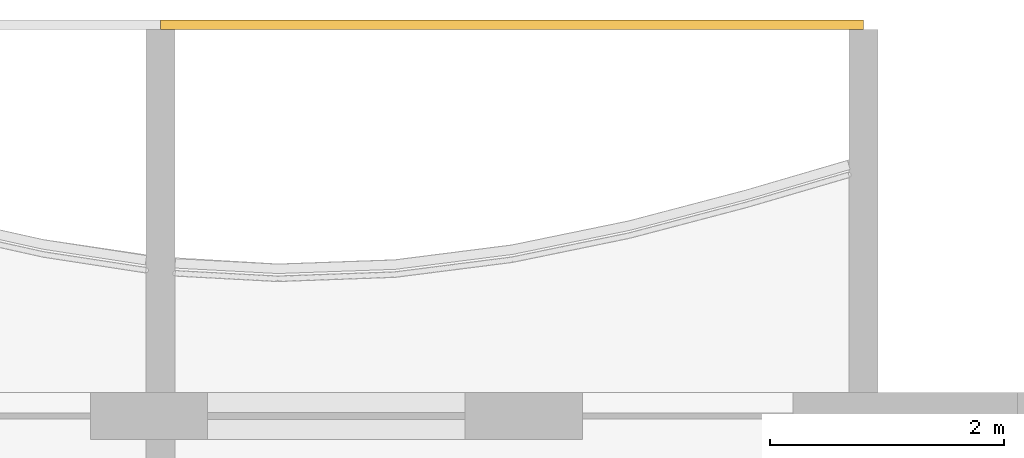
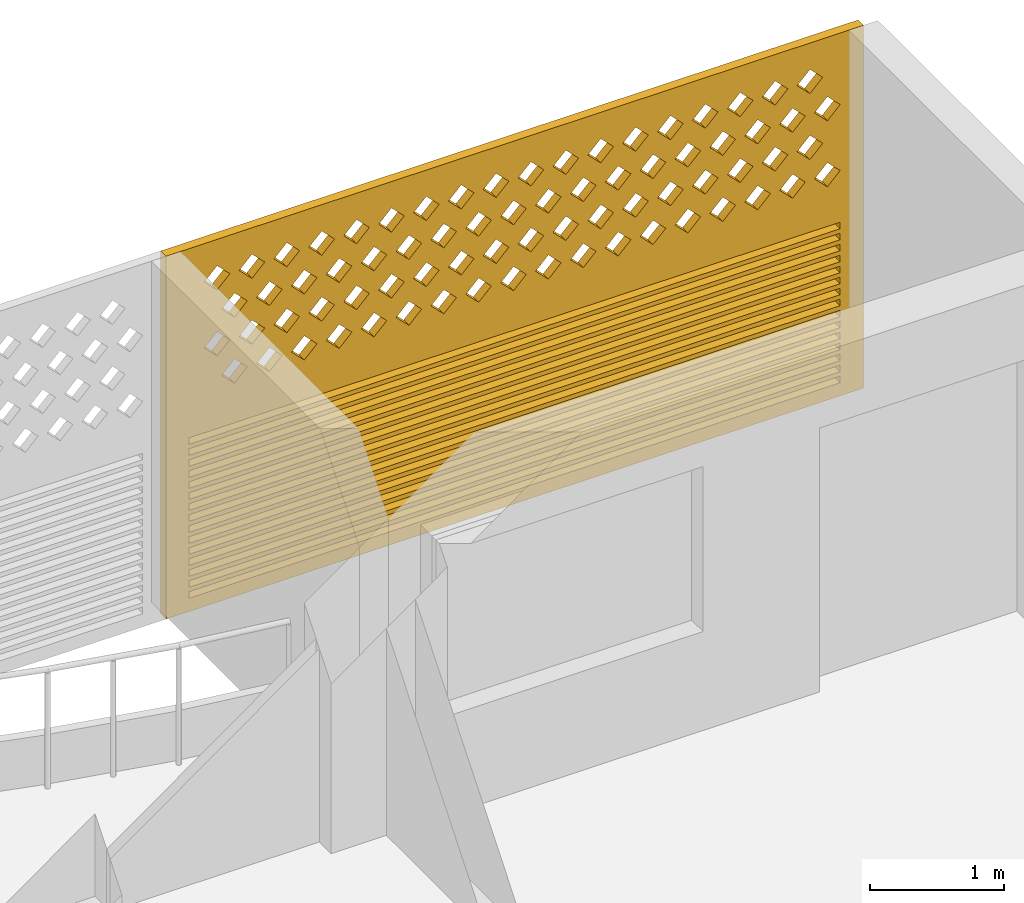
# One storey, part 26 of 26: 1 covering.
"""IFC4 building model written with IfcOpenShell, lengths in metres."""

from ifc_helpers import new_model, si_unit, direction, frame, origin, place, context, subcontext, project, spatial, polyline, outline, extrude, source, transform, mapped, material, material_profile, profile_set, type_object, element, save


model = new_model("IFC4")

# Units and contexts
model_context = context("Model", 3, precision=1e-05, world=origin(), true_north=direction((0.0, 1.0)))
body_context = subcontext(model_context, "Body", "Model", "MODEL_VIEW")
ifc_project = project(units=[si_unit("LENGTHUNIT", "METRE"), si_unit("AREAUNIT", "SQUARE_METRE"), si_unit("VOLUMEUNIT", "CUBIC_METRE"), si_unit("PLANEANGLEUNIT", "RADIAN"), si_unit("MASSUNIT", "GRAM", prefix="KILO")], contexts=[model_context])

# Site, building, storey
site_placement = place(None, origin())
site = spatial("IfcSite", under=ifc_project, at=site_placement, CompositionType="ELEMENT")
building_placement = place(site_placement, origin())
building = spatial("IfcBuilding", under=site, at=building_placement, Name="Poui Terraces", CompositionType="ELEMENT")
storey_placement = place(building_placement, frame((0.0, 0.0, 221.39990234375)))
storey = spatial("IfcBuildingStorey", under=building, at=storey_placement, Name="L61", CompositionType="ELEMENT", Elevation=221.39990234375)

# Covering
ifc_material = material(Name="Terracotta screen", Category="masonry")
ifc_material_profile = material_profile(ifc_material, outline(polyline([(-3.0, -1.64990234375), (3.0, -1.64990234375), (3.0, 1.64990234375), (-3.0, 1.64990234375), (-3.0, -1.64990234375)]), holes=[polyline([(-2.800048828125, 0.39990234375), (-2.68994140625, 0.2900390625), (-2.580078125, 0.39990234375), (-2.68994140625, 0.510009765625), (-2.800048828125, 0.39990234375)]), polyline([(-2.5, 0.39990234375), (-2.389892578125, 0.2900390625), (-2.280029296875, 0.39990234375), (-2.389892578125, 0.510009765625), (-2.5, 0.39990234375)]), polyline([(-2.199951171875, 0.39990234375), (-2.090087890625, 0.2900390625), (-1.97998046875, 0.39990234375), (-2.090087890625, 0.510009765625), (-2.199951171875, 0.39990234375)]), polyline([(-1.89990234375, 0.39990234375), (-1.7900390625, 0.2900390625), (-1.679931640625, 0.39990234375), (-1.7900390625, 0.510009765625), (-1.89990234375, 0.39990234375)]), polyline([(-1.60009765625, 0.39990234375), (-1.489990234375, 0.2900390625), (-1.3798828125, 0.39990234375), (-1.489990234375, 0.510009765625), (-1.60009765625, 0.39990234375)]), polyline([(-1.300048828125, 0.39990234375), (-1.18994140625, 0.2900390625), (-1.080078125, 0.39990234375), (-1.18994140625, 0.510009765625), (-1.300048828125, 0.39990234375)]), polyline([(-1.0, 0.39990234375), (-0.889892578125, 0.2900390625), (-0.780029296875, 0.39990234375), (-0.889892578125, 0.510009765625), (-1.0, 0.39990234375)]), polyline([(-0.699951171875, 0.39990234375), (-0.590087890625, 0.2900390625), (-0.47998046875, 0.39990234375), (-0.590087890625, 0.510009765625), (-0.699951171875, 0.39990234375)]), polyline([(-0.39990234375, 0.39990234375), (-0.2900390625, 0.2900390625), (-0.179931640625, 0.39990234375), (-0.2900390625, 0.510009765625), (-0.39990234375, 0.39990234375)]), polyline([(-0.10009765625, 0.39990234375), (0.010009765625, 0.2900390625), (0.1201171875, 0.39990234375), (0.010009765625, 0.510009765625), (-0.10009765625, 0.39990234375)]), polyline([(0.199951171875, 0.39990234375), (0.31005859375, 0.2900390625), (0.419921875, 0.39990234375), (0.31005859375, 0.510009765625), (0.199951171875, 0.39990234375)]), polyline([(0.5, 0.39990234375), (0.610107421875, 0.2900390625), (0.719970703125, 0.39990234375), (0.610107421875, 0.510009765625), (0.5, 0.39990234375)]), polyline([(0.800048828125, 0.39990234375), (0.909912109375, 0.2900390625), (1.02001953125, 0.39990234375), (0.909912109375, 0.510009765625), (0.800048828125, 0.39990234375)]), polyline([(1.10009765625, 0.39990234375), (1.2099609375, 0.2900390625), (1.320068359375, 0.39990234375), (1.2099609375, 0.510009765625), (1.10009765625, 0.39990234375)]), polyline([(1.39990234375, 0.39990234375), (1.510009765625, 0.2900390625), (1.6201171875, 0.39990234375), (1.510009765625, 0.510009765625), (1.39990234375, 0.39990234375)]), polyline([(1.699951171875, 0.39990234375), (1.81005859375, 0.2900390625), (1.919921875, 0.39990234375), (1.81005859375, 0.510009765625), (1.699951171875, 0.39990234375)]), polyline([(2.0, 0.39990234375), (2.110107421875, 0.2900390625), (2.219970703125, 0.39990234375), (2.110107421875, 0.510009765625), (2.0, 0.39990234375)]), polyline([(2.300048828125, 0.39990234375), (2.409912109375, 0.2900390625), (2.52001953125, 0.39990234375), (2.409912109375, 0.510009765625), (2.300048828125, 0.39990234375)]), polyline([(-2.64990234375, 0.699951171875), (-2.5400390625, 0.590087890625), (-2.429931640625, 0.699951171875), (-2.5400390625, 0.81005859375), (-2.64990234375, 0.699951171875)]), polyline([(-2.35009765625, 0.699951171875), (-2.239990234375, 0.590087890625), (-2.1298828125, 0.699951171875), (-2.239990234375, 0.81005859375), (-2.35009765625, 0.699951171875)]), polyline([(-2.050048828125, 0.699951171875), (-1.93994140625, 0.590087890625), (-1.830078125, 0.699951171875), (-1.93994140625, 0.81005859375), (-2.050048828125, 0.699951171875)]), polyline([(-1.75, 0.699951171875), (-1.639892578125, 0.590087890625), (-1.530029296875, 0.699951171875), (-1.639892578125, 0.81005859375), (-1.75, 0.699951171875)]), polyline([(-1.449951171875, 0.699951171875), (-1.340087890625, 0.590087890625), (-1.22998046875, 0.699951171875), (-1.340087890625, 0.81005859375), (-1.449951171875, 0.699951171875)]), polyline([(-1.14990234375, 0.699951171875), (-1.0400390625, 0.590087890625), (-0.929931640625, 0.699951171875), (-1.0400390625, 0.81005859375), (-1.14990234375, 0.699951171875)]), polyline([(-0.85009765625, 0.699951171875), (-0.739990234375, 0.590087890625), (-0.6298828125, 0.699951171875), (-0.739990234375, 0.81005859375), (-0.85009765625, 0.699951171875)]), polyline([(-0.550048828125, 0.699951171875), (-0.43994140625, 0.590087890625), (-0.330078125, 0.699951171875), (-0.43994140625, 0.81005859375), (-0.550048828125, 0.699951171875)]), polyline([(-0.25, 0.699951171875), (-0.139892578125, 0.590087890625), (-0.030029296875, 0.699951171875), (-0.139892578125, 0.81005859375), (-0.25, 0.699951171875)]), polyline([(0.050048828125, 0.699951171875), (0.159912109375, 0.590087890625), (0.27001953125, 0.699951171875), (0.159912109375, 0.81005859375), (0.050048828125, 0.699951171875)]), polyline([(0.35009765625, 0.699951171875), (0.4599609375, 0.590087890625), (0.570068359375, 0.699951171875), (0.4599609375, 0.81005859375), (0.35009765625, 0.699951171875)]), polyline([(0.64990234375, 0.699951171875), (0.760009765625, 0.590087890625), (0.8701171875, 0.699951171875), (0.760009765625, 0.81005859375), (0.64990234375, 0.699951171875)]), polyline([(0.949951171875, 0.699951171875), (1.06005859375, 0.590087890625), (1.169921875, 0.699951171875), (1.06005859375, 0.81005859375), (0.949951171875, 0.699951171875)]), polyline([(1.25, 0.699951171875), (1.360107421875, 0.590087890625), (1.469970703125, 0.699951171875), (1.360107421875, 0.81005859375), (1.25, 0.699951171875)]), polyline([(1.550048828125, 0.699951171875), (1.659912109375, 0.590087890625), (1.77001953125, 0.699951171875), (1.659912109375, 0.81005859375), (1.550048828125, 0.699951171875)]), polyline([(1.85009765625, 0.699951171875), (1.9599609375, 0.590087890625), (2.070068359375, 0.699951171875), (1.9599609375, 0.81005859375), (1.85009765625, 0.699951171875)]), polyline([(2.14990234375, 0.699951171875), (2.260009765625, 0.590087890625), (2.3701171875, 0.699951171875), (2.260009765625, 0.81005859375), (2.14990234375, 0.699951171875)]), polyline([(2.449951171875, 0.699951171875), (2.56005859375, 0.590087890625), (2.669921875, 0.699951171875), (2.56005859375, 0.81005859375), (2.449951171875, 0.699951171875)]), polyline([(-2.800048828125, 1.0), (-2.68994140625, 0.889892578125), (-2.580078125, 1.0), (-2.68994140625, 1.110107421875), (-2.800048828125, 1.0)]), polyline([(-2.5, 1.0), (-2.389892578125, 0.889892578125), (-2.280029296875, 1.0), (-2.389892578125, 1.110107421875), (-2.5, 1.0)]), polyline([(-2.199951171875, 1.0), (-2.090087890625, 0.889892578125), (-1.97998046875, 1.0), (-2.090087890625, 1.110107421875), (-2.199951171875, 1.0)]), polyline([(-1.89990234375, 1.0), (-1.7900390625, 0.889892578125), (-1.679931640625, 1.0), (-1.7900390625, 1.110107421875), (-1.89990234375, 1.0)]), polyline([(-1.60009765625, 1.0), (-1.489990234375, 0.889892578125), (-1.3798828125, 1.0), (-1.489990234375, 1.110107421875), (-1.60009765625, 1.0)]), polyline([(-1.300048828125, 1.0), (-1.18994140625, 0.889892578125), (-1.080078125, 1.0), (-1.18994140625, 1.110107421875), (-1.300048828125, 1.0)]), polyline([(-1.0, 1.0), (-0.889892578125, 0.889892578125), (-0.780029296875, 1.0), (-0.889892578125, 1.110107421875), (-1.0, 1.0)]), polyline([(-0.699951171875, 1.0), (-0.590087890625, 0.889892578125), (-0.47998046875, 1.0), (-0.590087890625, 1.110107421875), (-0.699951171875, 1.0)]), polyline([(-0.39990234375, 1.0), (-0.2900390625, 0.889892578125), (-0.179931640625, 1.0), (-0.2900390625, 1.110107421875), (-0.39990234375, 1.0)]), polyline([(-0.10009765625, 1.0), (0.010009765625, 0.889892578125), (0.1201171875, 1.0), (0.010009765625, 1.110107421875), (-0.10009765625, 1.0)]), polyline([(0.199951171875, 1.0), (0.31005859375, 0.889892578125), (0.419921875, 1.0), (0.31005859375, 1.110107421875), (0.199951171875, 1.0)]), polyline([(0.5, 1.0), (0.610107421875, 0.889892578125), (0.719970703125, 1.0), (0.610107421875, 1.110107421875), (0.5, 1.0)]), polyline([(0.800048828125, 1.0), (0.909912109375, 0.889892578125), (1.02001953125, 1.0), (0.909912109375, 1.110107421875), (0.800048828125, 1.0)]), polyline([(1.10009765625, 1.0), (1.2099609375, 0.889892578125), (1.320068359375, 1.0), (1.2099609375, 1.110107421875), (1.10009765625, 1.0)]), polyline([(1.39990234375, 1.0), (1.510009765625, 0.889892578125), (1.6201171875, 1.0), (1.510009765625, 1.110107421875), (1.39990234375, 1.0)]), polyline([(1.699951171875, 1.0), (1.81005859375, 0.889892578125), (1.919921875, 1.0), (1.81005859375, 1.110107421875), (1.699951171875, 1.0)]), polyline([(2.0, 1.0), (2.110107421875, 0.889892578125), (2.219970703125, 1.0), (2.110107421875, 1.110107421875), (2.0, 1.0)]), polyline([(2.300048828125, 1.0), (2.409912109375, 0.889892578125), (2.52001953125, 1.0), (2.409912109375, 1.110107421875), (2.300048828125, 1.0)]), polyline([(-2.64990234375, 1.300048828125), (-2.5400390625, 1.18994140625), (-2.429931640625, 1.300048828125), (-2.5400390625, 1.409912109375), (-2.64990234375, 1.300048828125)]), polyline([(-2.35009765625, 1.300048828125), (-2.239990234375, 1.18994140625), (-2.1298828125, 1.300048828125), (-2.239990234375, 1.409912109375), (-2.35009765625, 1.300048828125)]), polyline([(-2.050048828125, 1.300048828125), (-1.93994140625, 1.18994140625), (-1.830078125, 1.300048828125), (-1.93994140625, 1.409912109375), (-2.050048828125, 1.300048828125)]), polyline([(-1.75, 1.300048828125), (-1.639892578125, 1.18994140625), (-1.530029296875, 1.300048828125), (-1.639892578125, 1.409912109375), (-1.75, 1.300048828125)]), polyline([(-1.449951171875, 1.300048828125), (-1.340087890625, 1.18994140625), (-1.22998046875, 1.300048828125), (-1.340087890625, 1.409912109375), (-1.449951171875, 1.300048828125)]), polyline([(-1.14990234375, 1.300048828125), (-1.0400390625, 1.18994140625), (-0.929931640625, 1.300048828125), (-1.0400390625, 1.409912109375), (-1.14990234375, 1.300048828125)]), polyline([(-0.85009765625, 1.300048828125), (-0.739990234375, 1.18994140625), (-0.6298828125, 1.300048828125), (-0.739990234375, 1.409912109375), (-0.85009765625, 1.300048828125)]), polyline([(-0.550048828125, 1.300048828125), (-0.43994140625, 1.18994140625), (-0.330078125, 1.300048828125), (-0.43994140625, 1.409912109375), (-0.550048828125, 1.300048828125)]), polyline([(-0.25, 1.300048828125), (-0.139892578125, 1.18994140625), (-0.030029296875, 1.300048828125), (-0.139892578125, 1.409912109375), (-0.25, 1.300048828125)]), polyline([(0.050048828125, 1.300048828125), (0.159912109375, 1.18994140625), (0.27001953125, 1.300048828125), (0.159912109375, 1.409912109375), (0.050048828125, 1.300048828125)]), polyline([(0.35009765625, 1.300048828125), (0.4599609375, 1.18994140625), (0.570068359375, 1.300048828125), (0.4599609375, 1.409912109375), (0.35009765625, 1.300048828125)]), polyline([(0.64990234375, 1.300048828125), (0.760009765625, 1.18994140625), (0.8701171875, 1.300048828125), (0.760009765625, 1.409912109375), (0.64990234375, 1.300048828125)]), polyline([(0.949951171875, 1.300048828125), (1.06005859375, 1.18994140625), (1.169921875, 1.300048828125), (1.06005859375, 1.409912109375), (0.949951171875, 1.300048828125)]), polyline([(1.25, 1.300048828125), (1.360107421875, 1.18994140625), (1.469970703125, 1.300048828125), (1.360107421875, 1.409912109375), (1.25, 1.300048828125)]), polyline([(1.550048828125, 1.300048828125), (1.659912109375, 1.18994140625), (1.77001953125, 1.300048828125), (1.659912109375, 1.409912109375), (1.550048828125, 1.300048828125)]), polyline([(1.85009765625, 1.300048828125), (1.9599609375, 1.18994140625), (2.070068359375, 1.300048828125), (1.9599609375, 1.409912109375), (1.85009765625, 1.300048828125)]), polyline([(2.14990234375, 1.300048828125), (2.260009765625, 1.18994140625), (2.3701171875, 1.300048828125), (2.260009765625, 1.409912109375), (2.14990234375, 1.300048828125)]), polyline([(2.449951171875, 1.300048828125), (2.56005859375, 1.18994140625), (2.669921875, 1.300048828125), (2.56005859375, 1.409912109375), (2.449951171875, 1.300048828125)]), polyline([(-2.800048828125, -1.530029296875), (2.800048828125, -1.530029296875), (2.800048828125, -1.469970703125), (-2.800048828125, -1.469970703125), (-2.800048828125, -1.530029296875)]), polyline([(-2.800048828125, -1.429931640625), (2.800048828125, -1.429931640625), (2.800048828125, -1.3701171875), (-2.800048828125, -1.3701171875), (-2.800048828125, -1.429931640625)]), polyline([(-2.800048828125, -1.330078125), (2.800048828125, -1.330078125), (2.800048828125, -1.27001953125), (-2.800048828125, -1.27001953125), (-2.800048828125, -1.330078125)]), polyline([(-2.800048828125, -1.22998046875), (2.800048828125, -1.22998046875), (2.800048828125, -1.169921875), (-2.800048828125, -1.169921875), (-2.800048828125, -1.22998046875)]), polyline([(-2.800048828125, -1.1298828125), (2.800048828125, -1.1298828125), (2.800048828125, -1.070068359375), (-2.800048828125, -1.070068359375), (-2.800048828125, -1.1298828125)]), polyline([(-2.800048828125, -1.030029296875), (2.800048828125, -1.030029296875), (2.800048828125, -0.969970703125), (-2.800048828125, -0.969970703125), (-2.800048828125, -1.030029296875)]), polyline([(-2.800048828125, -0.929931640625), (2.800048828125, -0.929931640625), (2.800048828125, -0.8701171875), (-2.800048828125, -0.8701171875), (-2.800048828125, -0.929931640625)]), polyline([(-2.800048828125, -0.830078125), (2.800048828125, -0.830078125), (2.800048828125, -0.77001953125), (-2.800048828125, -0.77001953125), (-2.800048828125, -0.830078125)]), polyline([(-2.800048828125, -0.72998046875), (2.800048828125, -0.72998046875), (2.800048828125, -0.669921875), (-2.800048828125, -0.669921875), (-2.800048828125, -0.72998046875)]), polyline([(-2.800048828125, -0.6298828125), (2.800048828125, -0.6298828125), (2.800048828125, -0.570068359375), (-2.800048828125, -0.570068359375), (-2.800048828125, -0.6298828125)]), polyline([(-2.800048828125, -0.530029296875), (2.800048828125, -0.530029296875), (2.800048828125, -0.469970703125), (-2.800048828125, -0.469970703125), (-2.800048828125, -0.530029296875)]), polyline([(-2.800048828125, -0.429931640625), (2.800048828125, -0.429931640625), (2.800048828125, -0.3701171875), (-2.800048828125, -0.3701171875), (-2.800048828125, -0.429931640625)]), polyline([(-2.800048828125, -0.330078125), (2.800048828125, -0.330078125), (2.800048828125, -0.27001953125), (-2.800048828125, -0.27001953125), (-2.800048828125, -0.330078125)]), polyline([(-2.800048828125, -0.22998046875), (2.800048828125, -0.22998046875), (2.800048828125, -0.169921875), (-2.800048828125, -0.169921875), (-2.800048828125, -0.22998046875)]), polyline([(-2.800048828125, -0.1298828125), (2.800048828125, -0.1298828125), (2.800048828125, -0.070068359375), (-2.800048828125, -0.070068359375), (-2.800048828125, -0.1298828125)])]), Name="TERRACOTTA SCREEN AND JALOUSIE LOUVRE 6000X3300")
ifc_profile_set = profile_set([ifc_material_profile], Name="Terracotta screen")
covering_type = type_object("IfcCoveringType", Name="TERRACOTTA SCREEN AND JALOUSIE LOUVRE 6000X3300", PredefinedType="CLADDING", material=ifc_profile_set)
shared_shape = source(origin(), body_context, "Body", "SweptSolid", [
    extrude(outline(polyline([(-3.0, -1.64990234375), (3.0, -1.64990234375), (3.0, 1.64990234375), (-3.0, 1.64990234375), (-3.0, -1.64990234375)]), holes=[polyline([(-2.800048828125, 0.39990234375), (-2.68994140625, 0.2900390625), (-2.580078125, 0.39990234375), (-2.68994140625, 0.510009765625), (-2.800048828125, 0.39990234375)]), polyline([(-2.5, 0.39990234375), (-2.389892578125, 0.2900390625), (-2.280029296875, 0.39990234375), (-2.389892578125, 0.510009765625), (-2.5, 0.39990234375)]), polyline([(-2.199951171875, 0.39990234375), (-2.090087890625, 0.2900390625), (-1.97998046875, 0.39990234375), (-2.090087890625, 0.510009765625), (-2.199951171875, 0.39990234375)]), polyline([(-1.89990234375, 0.39990234375), (-1.7900390625, 0.2900390625), (-1.679931640625, 0.39990234375), (-1.7900390625, 0.510009765625), (-1.89990234375, 0.39990234375)]), polyline([(-1.60009765625, 0.39990234375), (-1.489990234375, 0.2900390625), (-1.3798828125, 0.39990234375), (-1.489990234375, 0.510009765625), (-1.60009765625, 0.39990234375)]), polyline([(-1.300048828125, 0.39990234375), (-1.18994140625, 0.2900390625), (-1.080078125, 0.39990234375), (-1.18994140625, 0.510009765625), (-1.300048828125, 0.39990234375)]), polyline([(-1.0, 0.39990234375), (-0.889892578125, 0.2900390625), (-0.780029296875, 0.39990234375), (-0.889892578125, 0.510009765625), (-1.0, 0.39990234375)]), polyline([(-0.699951171875, 0.39990234375), (-0.590087890625, 0.2900390625), (-0.47998046875, 0.39990234375), (-0.590087890625, 0.510009765625), (-0.699951171875, 0.39990234375)]), polyline([(-0.39990234375, 0.39990234375), (-0.2900390625, 0.2900390625), (-0.179931640625, 0.39990234375), (-0.2900390625, 0.510009765625), (-0.39990234375, 0.39990234375)]), polyline([(-0.10009765625, 0.39990234375), (0.010009765625, 0.2900390625), (0.1201171875, 0.39990234375), (0.010009765625, 0.510009765625), (-0.10009765625, 0.39990234375)]), polyline([(0.199951171875, 0.39990234375), (0.31005859375, 0.2900390625), (0.419921875, 0.39990234375), (0.31005859375, 0.510009765625), (0.199951171875, 0.39990234375)]), polyline([(0.5, 0.39990234375), (0.610107421875, 0.2900390625), (0.719970703125, 0.39990234375), (0.610107421875, 0.510009765625), (0.5, 0.39990234375)]), polyline([(0.800048828125, 0.39990234375), (0.909912109375, 0.2900390625), (1.02001953125, 0.39990234375), (0.909912109375, 0.510009765625), (0.800048828125, 0.39990234375)]), polyline([(1.10009765625, 0.39990234375), (1.2099609375, 0.2900390625), (1.320068359375, 0.39990234375), (1.2099609375, 0.510009765625), (1.10009765625, 0.39990234375)]), polyline([(1.39990234375, 0.39990234375), (1.510009765625, 0.2900390625), (1.6201171875, 0.39990234375), (1.510009765625, 0.510009765625), (1.39990234375, 0.39990234375)]), polyline([(1.699951171875, 0.39990234375), (1.81005859375, 0.2900390625), (1.919921875, 0.39990234375), (1.81005859375, 0.510009765625), (1.699951171875, 0.39990234375)]), polyline([(2.0, 0.39990234375), (2.110107421875, 0.2900390625), (2.219970703125, 0.39990234375), (2.110107421875, 0.510009765625), (2.0, 0.39990234375)]), polyline([(2.300048828125, 0.39990234375), (2.409912109375, 0.2900390625), (2.52001953125, 0.39990234375), (2.409912109375, 0.510009765625), (2.300048828125, 0.39990234375)]), polyline([(-2.64990234375, 0.699951171875), (-2.5400390625, 0.590087890625), (-2.429931640625, 0.699951171875), (-2.5400390625, 0.81005859375), (-2.64990234375, 0.699951171875)]), polyline([(-2.35009765625, 0.699951171875), (-2.239990234375, 0.590087890625), (-2.1298828125, 0.699951171875), (-2.239990234375, 0.81005859375), (-2.35009765625, 0.699951171875)]), polyline([(-2.050048828125, 0.699951171875), (-1.93994140625, 0.590087890625), (-1.830078125, 0.699951171875), (-1.93994140625, 0.81005859375), (-2.050048828125, 0.699951171875)]), polyline([(-1.75, 0.699951171875), (-1.639892578125, 0.590087890625), (-1.530029296875, 0.699951171875), (-1.639892578125, 0.81005859375), (-1.75, 0.699951171875)]), polyline([(-1.449951171875, 0.699951171875), (-1.340087890625, 0.590087890625), (-1.22998046875, 0.699951171875), (-1.340087890625, 0.81005859375), (-1.449951171875, 0.699951171875)]), polyline([(-1.14990234375, 0.699951171875), (-1.0400390625, 0.590087890625), (-0.929931640625, 0.699951171875), (-1.0400390625, 0.81005859375), (-1.14990234375, 0.699951171875)]), polyline([(-0.85009765625, 0.699951171875), (-0.739990234375, 0.590087890625), (-0.6298828125, 0.699951171875), (-0.739990234375, 0.81005859375), (-0.85009765625, 0.699951171875)]), polyline([(-0.550048828125, 0.699951171875), (-0.43994140625, 0.590087890625), (-0.330078125, 0.699951171875), (-0.43994140625, 0.81005859375), (-0.550048828125, 0.699951171875)]), polyline([(-0.25, 0.699951171875), (-0.139892578125, 0.590087890625), (-0.030029296875, 0.699951171875), (-0.139892578125, 0.81005859375), (-0.25, 0.699951171875)]), polyline([(0.050048828125, 0.699951171875), (0.159912109375, 0.590087890625), (0.27001953125, 0.699951171875), (0.159912109375, 0.81005859375), (0.050048828125, 0.699951171875)]), polyline([(0.35009765625, 0.699951171875), (0.4599609375, 0.590087890625), (0.570068359375, 0.699951171875), (0.4599609375, 0.81005859375), (0.35009765625, 0.699951171875)]), polyline([(0.64990234375, 0.699951171875), (0.760009765625, 0.590087890625), (0.8701171875, 0.699951171875), (0.760009765625, 0.81005859375), (0.64990234375, 0.699951171875)]), polyline([(0.949951171875, 0.699951171875), (1.06005859375, 0.590087890625), (1.169921875, 0.699951171875), (1.06005859375, 0.81005859375), (0.949951171875, 0.699951171875)]), polyline([(1.25, 0.699951171875), (1.360107421875, 0.590087890625), (1.469970703125, 0.699951171875), (1.360107421875, 0.81005859375), (1.25, 0.699951171875)]), polyline([(1.550048828125, 0.699951171875), (1.659912109375, 0.590087890625), (1.77001953125, 0.699951171875), (1.659912109375, 0.81005859375), (1.550048828125, 0.699951171875)]), polyline([(1.85009765625, 0.699951171875), (1.9599609375, 0.590087890625), (2.070068359375, 0.699951171875), (1.9599609375, 0.81005859375), (1.85009765625, 0.699951171875)]), polyline([(2.14990234375, 0.699951171875), (2.260009765625, 0.590087890625), (2.3701171875, 0.699951171875), (2.260009765625, 0.81005859375), (2.14990234375, 0.699951171875)]), polyline([(2.449951171875, 0.699951171875), (2.56005859375, 0.590087890625), (2.669921875, 0.699951171875), (2.56005859375, 0.81005859375), (2.449951171875, 0.699951171875)]), polyline([(-2.800048828125, 1.0), (-2.68994140625, 0.889892578125), (-2.580078125, 1.0), (-2.68994140625, 1.110107421875), (-2.800048828125, 1.0)]), polyline([(-2.5, 1.0), (-2.389892578125, 0.889892578125), (-2.280029296875, 1.0), (-2.389892578125, 1.110107421875), (-2.5, 1.0)]), polyline([(-2.199951171875, 1.0), (-2.090087890625, 0.889892578125), (-1.97998046875, 1.0), (-2.090087890625, 1.110107421875), (-2.199951171875, 1.0)]), polyline([(-1.89990234375, 1.0), (-1.7900390625, 0.889892578125), (-1.679931640625, 1.0), (-1.7900390625, 1.110107421875), (-1.89990234375, 1.0)]), polyline([(-1.60009765625, 1.0), (-1.489990234375, 0.889892578125), (-1.3798828125, 1.0), (-1.489990234375, 1.110107421875), (-1.60009765625, 1.0)]), polyline([(-1.300048828125, 1.0), (-1.18994140625, 0.889892578125), (-1.080078125, 1.0), (-1.18994140625, 1.110107421875), (-1.300048828125, 1.0)]), polyline([(-1.0, 1.0), (-0.889892578125, 0.889892578125), (-0.780029296875, 1.0), (-0.889892578125, 1.110107421875), (-1.0, 1.0)]), polyline([(-0.699951171875, 1.0), (-0.590087890625, 0.889892578125), (-0.47998046875, 1.0), (-0.590087890625, 1.110107421875), (-0.699951171875, 1.0)]), polyline([(-0.39990234375, 1.0), (-0.2900390625, 0.889892578125), (-0.179931640625, 1.0), (-0.2900390625, 1.110107421875), (-0.39990234375, 1.0)]), polyline([(-0.10009765625, 1.0), (0.010009765625, 0.889892578125), (0.1201171875, 1.0), (0.010009765625, 1.110107421875), (-0.10009765625, 1.0)]), polyline([(0.199951171875, 1.0), (0.31005859375, 0.889892578125), (0.419921875, 1.0), (0.31005859375, 1.110107421875), (0.199951171875, 1.0)]), polyline([(0.5, 1.0), (0.610107421875, 0.889892578125), (0.719970703125, 1.0), (0.610107421875, 1.110107421875), (0.5, 1.0)]), polyline([(0.800048828125, 1.0), (0.909912109375, 0.889892578125), (1.02001953125, 1.0), (0.909912109375, 1.110107421875), (0.800048828125, 1.0)]), polyline([(1.10009765625, 1.0), (1.2099609375, 0.889892578125), (1.320068359375, 1.0), (1.2099609375, 1.110107421875), (1.10009765625, 1.0)]), polyline([(1.39990234375, 1.0), (1.510009765625, 0.889892578125), (1.6201171875, 1.0), (1.510009765625, 1.110107421875), (1.39990234375, 1.0)]), polyline([(1.699951171875, 1.0), (1.81005859375, 0.889892578125), (1.919921875, 1.0), (1.81005859375, 1.110107421875), (1.699951171875, 1.0)]), polyline([(2.0, 1.0), (2.110107421875, 0.889892578125), (2.219970703125, 1.0), (2.110107421875, 1.110107421875), (2.0, 1.0)]), polyline([(2.300048828125, 1.0), (2.409912109375, 0.889892578125), (2.52001953125, 1.0), (2.409912109375, 1.110107421875), (2.300048828125, 1.0)]), polyline([(-2.64990234375, 1.300048828125), (-2.5400390625, 1.18994140625), (-2.429931640625, 1.300048828125), (-2.5400390625, 1.409912109375), (-2.64990234375, 1.300048828125)]), polyline([(-2.35009765625, 1.300048828125), (-2.239990234375, 1.18994140625), (-2.1298828125, 1.300048828125), (-2.239990234375, 1.409912109375), (-2.35009765625, 1.300048828125)]), polyline([(-2.050048828125, 1.300048828125), (-1.93994140625, 1.18994140625), (-1.830078125, 1.300048828125), (-1.93994140625, 1.409912109375), (-2.050048828125, 1.300048828125)]), polyline([(-1.75, 1.300048828125), (-1.639892578125, 1.18994140625), (-1.530029296875, 1.300048828125), (-1.639892578125, 1.409912109375), (-1.75, 1.300048828125)]), polyline([(-1.449951171875, 1.300048828125), (-1.340087890625, 1.18994140625), (-1.22998046875, 1.300048828125), (-1.340087890625, 1.409912109375), (-1.449951171875, 1.300048828125)]), polyline([(-1.14990234375, 1.300048828125), (-1.0400390625, 1.18994140625), (-0.929931640625, 1.300048828125), (-1.0400390625, 1.409912109375), (-1.14990234375, 1.300048828125)]), polyline([(-0.85009765625, 1.300048828125), (-0.739990234375, 1.18994140625), (-0.6298828125, 1.300048828125), (-0.739990234375, 1.409912109375), (-0.85009765625, 1.300048828125)]), polyline([(-0.550048828125, 1.300048828125), (-0.43994140625, 1.18994140625), (-0.330078125, 1.300048828125), (-0.43994140625, 1.409912109375), (-0.550048828125, 1.300048828125)]), polyline([(-0.25, 1.300048828125), (-0.139892578125, 1.18994140625), (-0.030029296875, 1.300048828125), (-0.139892578125, 1.409912109375), (-0.25, 1.300048828125)]), polyline([(0.050048828125, 1.300048828125), (0.159912109375, 1.18994140625), (0.27001953125, 1.300048828125), (0.159912109375, 1.409912109375), (0.050048828125, 1.300048828125)]), polyline([(0.35009765625, 1.300048828125), (0.4599609375, 1.18994140625), (0.570068359375, 1.300048828125), (0.4599609375, 1.409912109375), (0.35009765625, 1.300048828125)]), polyline([(0.64990234375, 1.300048828125), (0.760009765625, 1.18994140625), (0.8701171875, 1.300048828125), (0.760009765625, 1.409912109375), (0.64990234375, 1.300048828125)]), polyline([(0.949951171875, 1.300048828125), (1.06005859375, 1.18994140625), (1.169921875, 1.300048828125), (1.06005859375, 1.409912109375), (0.949951171875, 1.300048828125)]), polyline([(1.25, 1.300048828125), (1.360107421875, 1.18994140625), (1.469970703125, 1.300048828125), (1.360107421875, 1.409912109375), (1.25, 1.300048828125)]), polyline([(1.550048828125, 1.300048828125), (1.659912109375, 1.18994140625), (1.77001953125, 1.300048828125), (1.659912109375, 1.409912109375), (1.550048828125, 1.300048828125)]), polyline([(1.85009765625, 1.300048828125), (1.9599609375, 1.18994140625), (2.070068359375, 1.300048828125), (1.9599609375, 1.409912109375), (1.85009765625, 1.300048828125)]), polyline([(2.14990234375, 1.300048828125), (2.260009765625, 1.18994140625), (2.3701171875, 1.300048828125), (2.260009765625, 1.409912109375), (2.14990234375, 1.300048828125)]), polyline([(2.449951171875, 1.300048828125), (2.56005859375, 1.18994140625), (2.669921875, 1.300048828125), (2.56005859375, 1.409912109375), (2.449951171875, 1.300048828125)]), polyline([(-2.800048828125, -1.530029296875), (2.800048828125, -1.530029296875), (2.800048828125, -1.469970703125), (-2.800048828125, -1.469970703125), (-2.800048828125, -1.530029296875)]), polyline([(-2.800048828125, -1.429931640625), (2.800048828125, -1.429931640625), (2.800048828125, -1.3701171875), (-2.800048828125, -1.3701171875), (-2.800048828125, -1.429931640625)]), polyline([(-2.800048828125, -1.330078125), (2.800048828125, -1.330078125), (2.800048828125, -1.27001953125), (-2.800048828125, -1.27001953125), (-2.800048828125, -1.330078125)]), polyline([(-2.800048828125, -1.22998046875), (2.800048828125, -1.22998046875), (2.800048828125, -1.169921875), (-2.800048828125, -1.169921875), (-2.800048828125, -1.22998046875)]), polyline([(-2.800048828125, -1.1298828125), (2.800048828125, -1.1298828125), (2.800048828125, -1.070068359375), (-2.800048828125, -1.070068359375), (-2.800048828125, -1.1298828125)]), polyline([(-2.800048828125, -1.030029296875), (2.800048828125, -1.030029296875), (2.800048828125, -0.969970703125), (-2.800048828125, -0.969970703125), (-2.800048828125, -1.030029296875)]), polyline([(-2.800048828125, -0.929931640625), (2.800048828125, -0.929931640625), (2.800048828125, -0.8701171875), (-2.800048828125, -0.8701171875), (-2.800048828125, -0.929931640625)]), polyline([(-2.800048828125, -0.830078125), (2.800048828125, -0.830078125), (2.800048828125, -0.77001953125), (-2.800048828125, -0.77001953125), (-2.800048828125, -0.830078125)]), polyline([(-2.800048828125, -0.72998046875), (2.800048828125, -0.72998046875), (2.800048828125, -0.669921875), (-2.800048828125, -0.669921875), (-2.800048828125, -0.72998046875)]), polyline([(-2.800048828125, -0.6298828125), (2.800048828125, -0.6298828125), (2.800048828125, -0.570068359375), (-2.800048828125, -0.570068359375), (-2.800048828125, -0.6298828125)]), polyline([(-2.800048828125, -0.530029296875), (2.800048828125, -0.530029296875), (2.800048828125, -0.469970703125), (-2.800048828125, -0.469970703125), (-2.800048828125, -0.530029296875)]), polyline([(-2.800048828125, -0.429931640625), (2.800048828125, -0.429931640625), (2.800048828125, -0.3701171875), (-2.800048828125, -0.3701171875), (-2.800048828125, -0.429931640625)]), polyline([(-2.800048828125, -0.330078125), (2.800048828125, -0.330078125), (2.800048828125, -0.27001953125), (-2.800048828125, -0.27001953125), (-2.800048828125, -0.330078125)]), polyline([(-2.800048828125, -0.22998046875), (2.800048828125, -0.22998046875), (2.800048828125, -0.169921875), (-2.800048828125, -0.169921875), (-2.800048828125, -0.22998046875)]), polyline([(-2.800048828125, -0.1298828125), (2.800048828125, -0.1298828125), (2.800048828125, -0.070068359375), (-2.800048828125, -0.070068359375), (-2.800048828125, -0.1298828125)])]), origin(), (0.0, 0.0, 1.0), 0.080078125),
])
covering_placement = place(storey_placement, frame((75.0, 44.5, 1.4501953125), z_axis=(0.0, 1.0, 0.0), x_axis=(-1.0, 0.0, 0.0)))
element("IfcCovering", 1, at=covering_placement, inside=storey, type_object=covering_type, Name="SOLAR SCREEN AND JALOUSIE LOUVRE", PredefinedType="CLADDING", context=body_context, shape_type="MappedRepresentation", body=[
    mapped(shared_shape, transform((0.0, 0.0, 0.0))),
])

save(model, "model.ifc")
